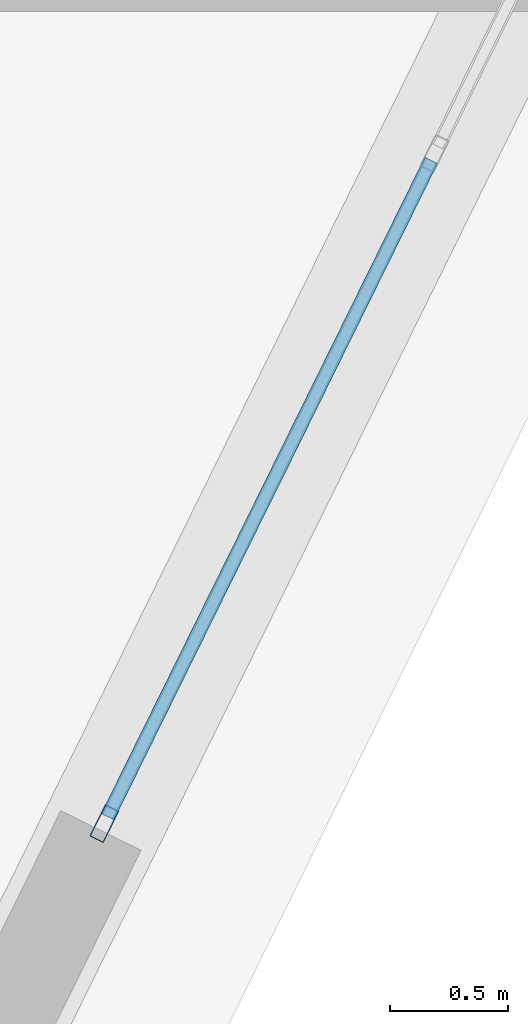
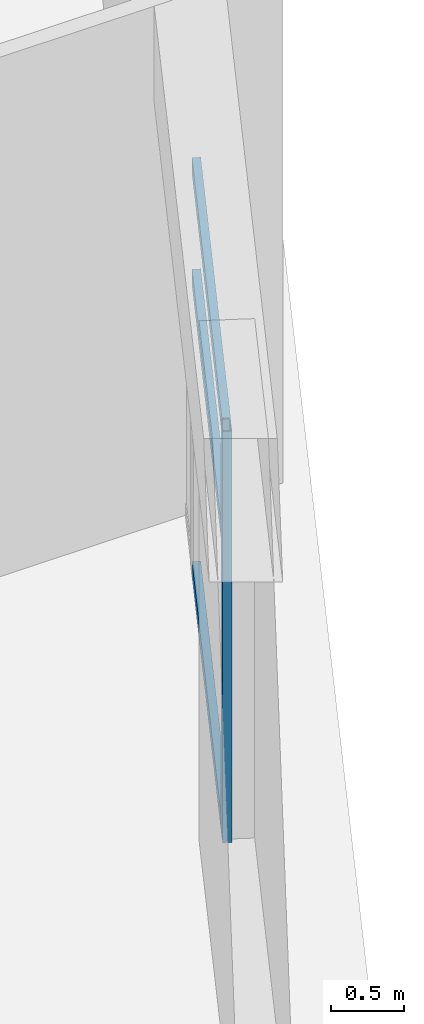
# One storey, part 14 of 35: 4 members, 1 element without a shape of its own.
"""IFC4 building model written with IfcOpenShell, lengths in metres."""

from ifc_helpers import new_model, si_unit, direction, frame, origin, origin_2d, place, context, subcontext, project, spatial, hollow_rectangle, extrude, source, transform, mapped, material, layer, layer_set, material_profile, profile_set, type_object, element, aggregate, save


model = new_model("IFC4")

# Units and contexts
model_context = context("Model", 3, precision=1e-05, world=origin(), true_north=direction((0.0, 1.0)))
body_context = subcontext(model_context, "Body", "Model", "MODEL_VIEW")
ifc_project = project(units=[si_unit("LENGTHUNIT", "METRE"), si_unit("AREAUNIT", "SQUARE_METRE"), si_unit("VOLUMEUNIT", "CUBIC_METRE"), si_unit("PLANEANGLEUNIT", "RADIAN"), si_unit("MASSUNIT", "GRAM", prefix="KILO")], contexts=[model_context])

# Site, building, storey
site_placement = place(None, origin())
site = spatial("IfcSite", under=ifc_project, at=site_placement, CompositionType="ELEMENT")
building_placement = place(site_placement, origin())
building = spatial("IfcBuilding", under=site, at=building_placement, Name="Liaohun Quay Tower", CompositionType="ELEMENT")
storey_placement = place(building_placement, frame((0.0, 0.0, 282.0)))
storey = spatial("IfcBuildingStorey", under=building, at=storey_placement, Name="L73", CompositionType="ELEMENT", Elevation=282.0)

# Curtain wall, members
ifc_material_1 = material(Name="Upper sky-lobby belvedere curtain wall")
ifc_layer = layer(ifc_material_1, 0.199951171875, Name="Upper sky-lobby belvedere curtain wall")
ifc_layer_set = layer_set([ifc_layer], Name="Upper sky-lobby belvedere curtain wall")
curtain_wall_type = type_object("IfcCurtainWallType", Name="CW-SKY-L73", PredefinedType="NOTDEFINED", material=ifc_layer_set)
curtain_wall_placement = place(storey_placement, origin())
curtain_wall = element("IfcCurtainWall", 1, at=curtain_wall_placement, inside=storey, type_object=curtain_wall_type, Name="L73 Panoramic Belvedere Curtain Wall 02", PredefinedType="NOTDEFINED")
ifc_material_2 = material(Name="Anodised aluminium 6063-T6", Category="aluminium")
ifc_material_profile_1 = material_profile(ifc_material_2, hollow_rectangle(XDim=0.06494140625, YDim=0.14990234375, WallThickness=0.00390625, at=origin_2d()), Name="RHS150x65x4")
ifc_profile_set_1 = profile_set([ifc_material_profile_1], Name="Anodised aluminium 6063-T6")
member_type_1 = type_object("IfcMemberType", Name="MEM-CWM-SKY", PredefinedType="MULLION", material=ifc_profile_set_1)
shared_shape_1 = source(origin(), body_context, "Body", "SweptSolid", [
    extrude(hollow_rectangle(XDim=0.06494140625, YDim=0.14990234375, WallThickness=0.00390625, at=origin_2d()), origin(), (0.0, 0.0, 1.0), 3.419921875),
])
member_1_placement = place(storey_placement, frame((83.3212890625, 50.487060546875, 0.0), z_axis=(0.0, 0.0, 1.0), x_axis=(-0.896975291213, 0.442080679235, 0.0)))
member_1 = element("IfcMember", 2, at=member_1_placement, type_object=member_type_1, Name="CW5 mullion 1", PredefinedType="MULLION", context=body_context, shape_type="MappedRepresentation", body=[
    mapped(shared_shape_1, transform((0.0, 0.0, 0.0), x_axis=(1.0, 0.0, 0.0), y_axis=(0.0, 1.0, 0.0), z_axis=(0.0, 0.0, 1.0), scale=1.0)),
])
ifc_material_profile_2 = material_profile(ifc_material_2, hollow_rectangle(XDim=0.06005859375, YDim=0.135009765625, WallThickness=0.00390625, at=origin_2d()), Name="RHS135x60x4")
ifc_profile_set_2 = profile_set([ifc_material_profile_2], Name="Anodised aluminium 6063-T6")
member_type_2 = type_object("IfcMemberType", Name="MEM-CWT-SKY", PredefinedType="USERDEFINED", material=ifc_profile_set_2)
shared_shape_2 = source(origin(), body_context, "Body", "SweptSolid", [
    extrude(hollow_rectangle(XDim=0.06005859375, YDim=0.135009765625, WallThickness=0.00390625, at=origin_2d()), origin(), (0.0, 0.0, 1.0), 3.10205078125),
])
member_2_placement = place(storey_placement, frame((83.335693359375, 50.516357421875, 0.030029296875), z_axis=(0.442074799362, 0.896978189127, 0.0), x_axis=(-0.896978189127, 0.442074799362, 0.0)))
member_2 = element("IfcMember", 3, at=member_2_placement, type_object=member_type_2, Name="CW5 transom 1.1", ObjectType="TRANSOM", PredefinedType="USERDEFINED", context=body_context, shape_type="MappedRepresentation", body=[
    mapped(shared_shape_2, transform((0.0, 0.0, 0.0), x_axis=(1.0, 0.0, 0.0), y_axis=(0.0, 1.0, 0.0), z_axis=(0.0, 0.0, 1.0), scale=1.0)),
])
member_3_placement = place(storey_placement, frame((83.335693359375, 50.516357421875, 2.4619140625), z_axis=(0.442074799362, 0.896978189127, 0.0), x_axis=(-0.896978189127, 0.442074799362, 0.0)))
member_3 = element("IfcMember", 4, at=member_3_placement, type_object=member_type_2, Name="CW5 transom 1.2", ObjectType="TRANSOM", PredefinedType="USERDEFINED", context=body_context, shape_type="MappedRepresentation", body=[
    mapped(shared_shape_2, transform((0.0, 0.0, 0.0), x_axis=(1.0, 0.0, 0.0), y_axis=(0.0, 1.0, 0.0), z_axis=(0.0, 0.0, 1.0), scale=1.0)),
])
member_4_placement = place(storey_placement, frame((83.335693359375, 50.516357421875, 3.389892578125), z_axis=(0.442074799362, 0.896978189127, 0.0), x_axis=(-0.896978189127, 0.442074799362, 0.0)))
member_4 = element("IfcMember", 5, at=member_4_placement, type_object=member_type_2, Name="CW5 transom 1.3", ObjectType="TRANSOM", PredefinedType="USERDEFINED", context=body_context, shape_type="MappedRepresentation", body=[
    mapped(shared_shape_2, transform((0.0, 0.0, 0.0), x_axis=(1.0, 0.0, 0.0), y_axis=(0.0, 1.0, 0.0), z_axis=(0.0, 0.0, 1.0), scale=1.0)),
])
aggregate(curtain_wall, [member_1, member_2, member_3, member_4])

save(model, "model.ifc")
